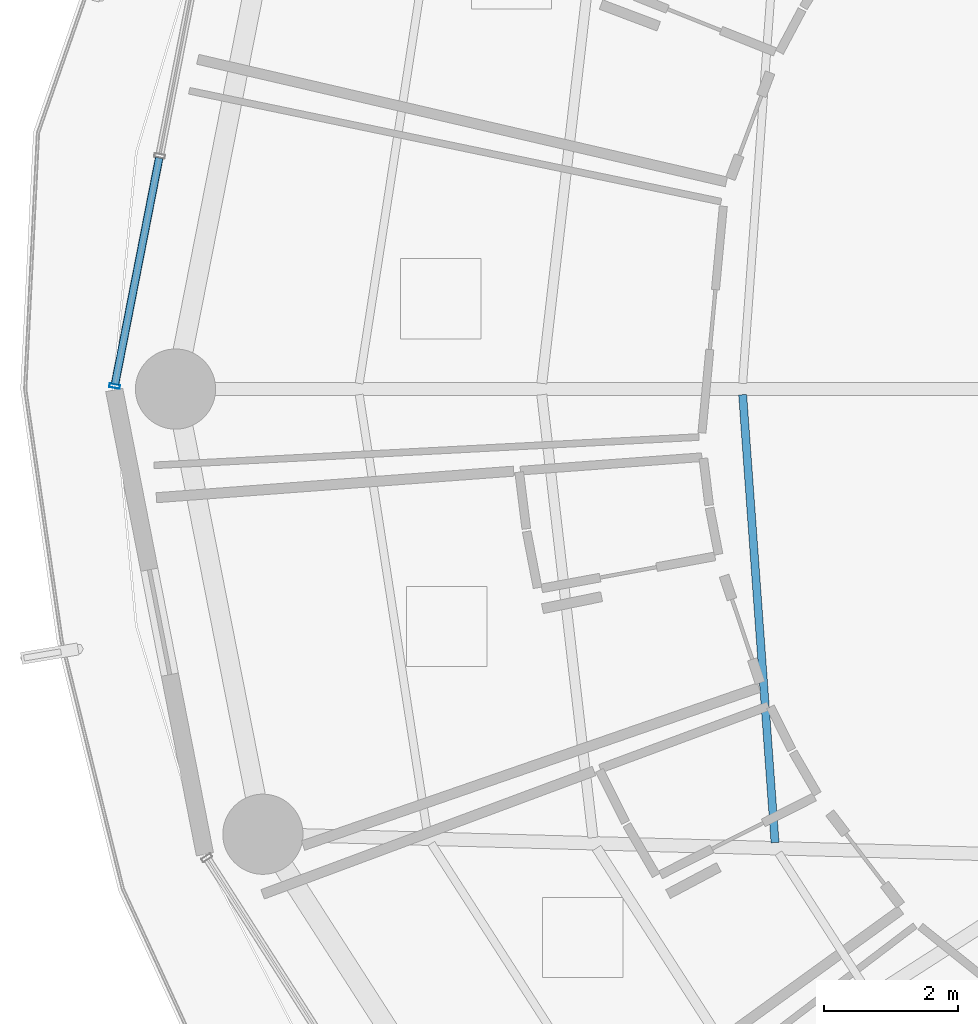
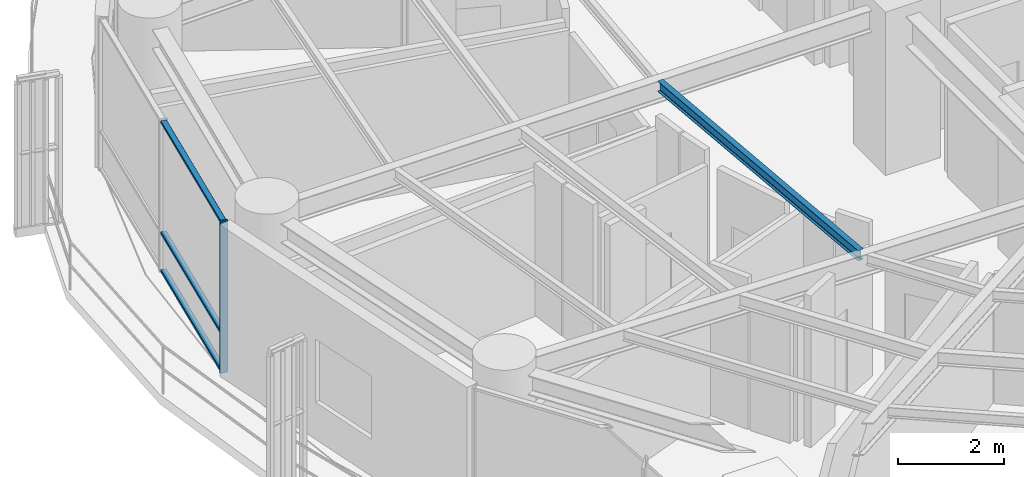
# One storey, part 6 of 29: 4 members, 1 beam, 1 element without a shape of its own.
"""IFC4 building model written with IfcOpenShell, lengths in metres."""

from ifc_helpers import new_model, si_unit, direction, frame, origin, origin_2d, place, context, subcontext, project, spatial, hollow_rectangle, i_section, extrude, material, layer, layer_set, material_profile, profile_set, type_object, element, aggregate, save


model = new_model("IFC4")

# Units and contexts
model_context = context("Model", 3, precision=1e-05, world=origin(), true_north=direction((0.0, 1.0)))
body_context = subcontext(model_context, "Body", "Model", "MODEL_VIEW")
ifc_project = project(units=[si_unit("LENGTHUNIT", "METRE"), si_unit("AREAUNIT", "SQUARE_METRE"), si_unit("VOLUMEUNIT", "CUBIC_METRE"), si_unit("PLANEANGLEUNIT", "RADIAN"), si_unit("MASSUNIT", "GRAM", prefix="KILO")], contexts=[model_context])

# Site, building, storey
site_placement = place(None, origin())
site = spatial("IfcSite", under=ifc_project, at=site_placement, CompositionType="ELEMENT")
building_placement = place(site_placement, origin())
building = spatial("IfcBuilding", under=site, at=building_placement, Name="Kelanora Arch Commons", CompositionType="ELEMENT")
storey_placement = place(building_placement, frame((0.0, 0.0, 135.60009765625)))
storey = spatial("IfcBuildingStorey", under=building, at=storey_placement, Name="L34", CompositionType="ELEMENT", Elevation=135.60009765625)

# Beam
ifc_material_1 = material(Name="Steel S355", Category="steel")
ifc_material_profile_1 = material_profile(ifc_material_1, i_section(OverallWidth=0.1201171875, OverallDepth=0.239990234375, WebThickness=0.006103515625, FlangeThickness=0.009765625, FilletRadius=0.014892578125, at=origin_2d()), Name="IPE240")
ifc_profile_set_1 = profile_set([ifc_material_profile_1], Name="Steel S355")
beam_type = type_object("IfcBeamType", Name="BM-JST-02", PredefinedType="JOIST", material=ifc_profile_set_1)
beam_placement = place(storey_placement, frame((60.8076171875, 57.915283203125, 3.369873046875), z_axis=(0.072117123738, -0.997396170267, 0.0), x_axis=(0.997396170267, 0.072117123738, 0.0)))
element("IfcBeam", 1, at=beam_placement, inside=storey, type_object=beam_type, Name="Secondary Chord Joist BJA-18 L34", PredefinedType="JOIST", context=body_context, shape_type="SweptSolid", body=[
    extrude(i_section(OverallWidth=0.1201171875, OverallDepth=0.239990234375, WebThickness=0.006103515625, FlangeThickness=0.009765625, FilletRadius=0.014892578125, at=origin_2d()), origin(), (0.0, 0.0, 1.0), 6.719970703125),
])

# Curtain wall, members
ifc_material_2 = material(Name="Terracotta ceramic-fritted low-E glass and aluminium", Category="masonry")
ifc_layer = layer(ifc_material_2, 0.175048828125)
ifc_layer_set = layer_set([ifc_layer], Name="Terracotta ceramic-fritted low-E glass and aluminium")
curtain_wall_type = type_object("IfcCurtainWallType", Name="CW-SYS-02", PredefinedType="NOTDEFINED", material=ifc_layer_set)
curtain_wall_placement = place(storey_placement, origin())
curtain_wall = element("IfcCurtainWall", 2, at=curtain_wall_placement, inside=storey, type_object=curtain_wall_type, Name="Unitised Curtain Wall L34-B08", PredefinedType="NOTDEFINED")
ifc_material_3 = material(Name="Powder-coated aluminium terracotta", Category="masonry")
ifc_material_profile_2 = material_profile(ifc_material_3, hollow_rectangle(XDim=0.159912109375, YDim=0.06005859375, WallThickness=0.0048828125, InnerFilletRadius=0.0048828125, OuterFilletRadius=0.010009765625, at=origin_2d()), Name="CWM160x60")
ifc_profile_set_2 = profile_set([ifc_material_profile_2], Name="Powder-coated aluminium terracotta")
member_type_1 = type_object("IfcMemberType", Name="CWM-STD", PredefinedType="MULLION", material=ifc_profile_set_2)
member_1_placement = place(storey_placement, frame((51.40869140625, 58.044189453125, 0.0), z_axis=(0.0, 0.0, 1.0), x_axis=(0.981452557718, -0.191705182375, 0.0)))
member_1 = element("IfcMember", 3, at=member_1_placement, type_object=member_type_1, Name="CW-02 mullion 3", PredefinedType="MULLION", context=body_context, shape_type="SweptSolid", body=[
    extrude(hollow_rectangle(XDim=0.159912109375, YDim=0.06005859375, WallThickness=0.0048828125, InnerFilletRadius=0.0048828125, OuterFilletRadius=0.010009765625, at=origin_2d()), origin(), (0.0, 0.0, 1.0), 3.474853515625),
])
ifc_material_profile_3 = material_profile(ifc_material_3, hollow_rectangle(XDim=0.1201171875, YDim=0.06005859375, WallThickness=0.0048828125, InnerFilletRadius=0.0048828125, OuterFilletRadius=0.010009765625, at=origin_2d()), Name="CWT120x60")
ifc_profile_set_3 = profile_set([ifc_material_profile_3], Name="Powder-coated aluminium terracotta")
member_type_2 = type_object("IfcMemberType", Name="CWT-STD", PredefinedType="USERDEFINED", material=ifc_profile_set_3)
member_2_placement = place(storey_placement, frame((52.07568359375, 61.459228515625, 0.02978515625), z_axis=(-0.191718206447, -0.981450013662, 0.0), x_axis=(0.981450013662, -0.191718206447, 0.0)))
member_2 = element("IfcMember", 4, at=member_2_placement, type_object=member_type_2, Name="CW-02 transom 2.1", ObjectType="TRANSOM", PredefinedType="USERDEFINED", context=body_context, shape_type="SweptSolid", body=[
    extrude(hollow_rectangle(XDim=0.1201171875, YDim=0.06005859375, WallThickness=0.0048828125, InnerFilletRadius=0.0048828125, OuterFilletRadius=0.010009765625, at=origin_2d()), origin(), (0.0, 0.0, 1.0), 3.44970703125),
])
member_3_placement = place(storey_placement, frame((52.07568359375, 61.459228515625, 0.89990234375), z_axis=(-0.191718206447, -0.981450013662, 0.0), x_axis=(0.981450013662, -0.191718206447, 0.0)))
member_3 = element("IfcMember", 5, at=member_3_placement, type_object=member_type_2, Name="CW-02 transom 2.2", ObjectType="TRANSOM", PredefinedType="USERDEFINED", context=body_context, shape_type="SweptSolid", body=[
    extrude(hollow_rectangle(XDim=0.1201171875, YDim=0.06005859375, WallThickness=0.0048828125, InnerFilletRadius=0.0048828125, OuterFilletRadius=0.010009765625, at=origin_2d()), origin(), (0.0, 0.0, 1.0), 3.44970703125),
])
member_4_placement = place(storey_placement, frame((52.07568359375, 61.459228515625, 3.44482421875), z_axis=(-0.191718206447, -0.981450013662, 0.0), x_axis=(0.981450013662, -0.191718206447, 0.0)))
member_4 = element("IfcMember", 6, at=member_4_placement, type_object=member_type_2, Name="CW-02 transom 2.3", ObjectType="TRANSOM", PredefinedType="USERDEFINED", context=body_context, shape_type="SweptSolid", body=[
    extrude(hollow_rectangle(XDim=0.1201171875, YDim=0.06005859375, WallThickness=0.0048828125, InnerFilletRadius=0.0048828125, OuterFilletRadius=0.010009765625, at=origin_2d()), origin(), (0.0, 0.0, 1.0), 3.44970703125),
])
aggregate(curtain_wall, [member_1, member_2, member_3, member_4])

save(model, "model.ifc")
